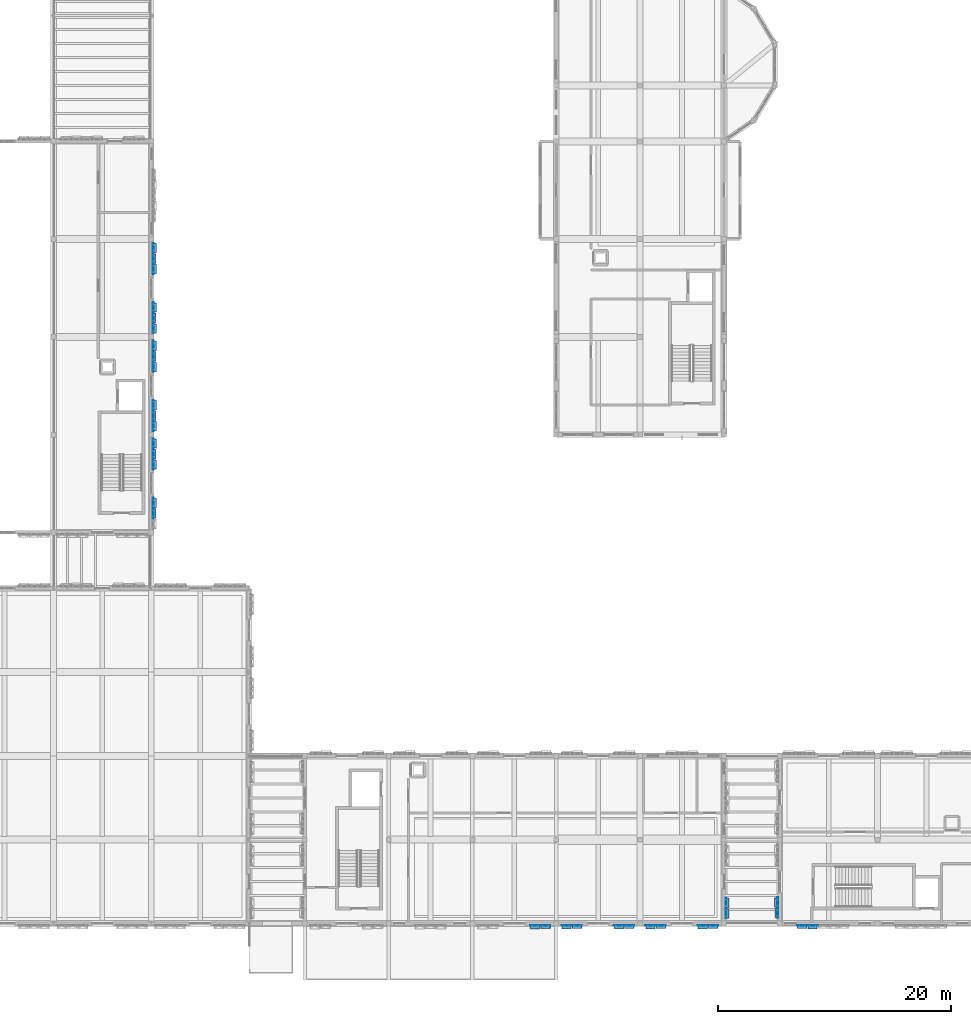
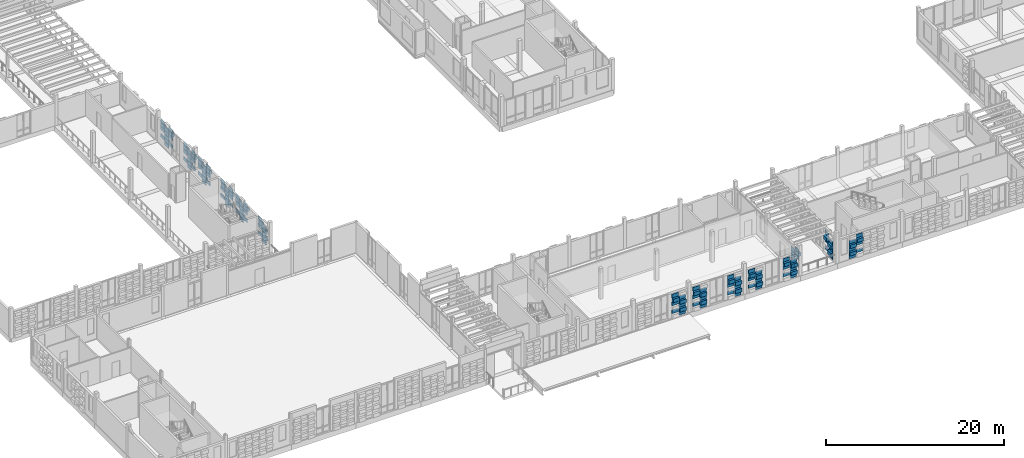
# One storey, part 59 of 99: 146 plates.
"""IFC4 building model written with IfcOpenShell, lengths in metres."""

import ifcopenshell
import ifcopenshell.guid

model = None  # the IFC model being written
_history = None  # IfcOwnerHistory: only IFC2X3 demands one
_inside = {}  # id of a spatial element -> (the spatial element, [elements in it])
_under = {}  # id of a project, library or spatial element -> (it, [spatial elements below it])
_declared = {}  # id of a project -> (the project, [libraries it declares])
_typed = {}  # id of a type object -> (the type object, [elements of that type])
_made_of = {}  # id of a material, layer set ... -> (it, [elements and type objects made of it])


def new_model(schema):
    """Start an empty IFC model of exactly this schema.

    Asked for "IFC4X3", IfcOpenShell would pick the latest addendum, in which some entities
    have other attributes; the version numbers below select the first issue.
    IFC2X3 requires an IfcOwnerHistory on every rooted entity: one is made here for all.
    """
    global model, _history
    if schema == "IFC4X3":
        model = ifcopenshell.file(schema_version=(4, 3, 0, 0))
    else:
        model = ifcopenshell.file(schema=schema)
    _inside.clear()
    _under.clear()
    _declared.clear()
    _typed.clear()
    _made_of.clear()
    _history = None
    if model.schema == "IFC2X3":
        org = make("IfcOrganization", Name="unknown")
        user = make(
            "IfcPersonAndOrganization",
            ThePerson=make("IfcPerson", FamilyName="unknown"),
            TheOrganization=org,
        )
        app = make(
            "IfcApplication",
            ApplicationDeveloper=org,
            Version="unknown",
            ApplicationFullName="unknown",
            ApplicationIdentifier="unknown",
        )
        _history = make(
            "IfcOwnerHistory",
            OwningUser=user,
            OwningApplication=app,
            ChangeAction="ADDED",
            CreationDate=0,
        )
    return model


def make(cls, **values):
    """One entity of the class cls with the attributes given. An attribute that is None is left unset."""
    return model.create_entity(
        cls, **{name: value for name, value in values.items() if value is not None}
    )


def rooted(cls, **values):
    """An entity with a GlobalId (a new one), such as an element, a storey or a relation."""
    return make(cls, GlobalId=ifcopenshell.guid.new(), OwnerHistory=_history, **values)


def si_unit(unit_type, name, prefix=None):
    """IfcSIUnit, for example si_unit("LENGTHUNIT", "METRE", prefix="MILLI")."""
    return make("IfcSIUnit", UnitType=unit_type, Prefix=prefix, Name=name)


def assignment(units):
    """IfcUnitAssignment: the units of a project."""
    return None if units is None else make("IfcUnitAssignment", Units=units)


def point(xyz):
    """IfcCartesianPoint."""
    return None if xyz is None else make("IfcCartesianPoint", Coordinates=xyz)


def direction(xyz):
    """IfcDirection."""
    return None if xyz is None else make("IfcDirection", DirectionRatios=xyz)


def frame(location, z_axis=None, x_axis=None):
    """IfcAxis2Placement3D, a coordinate frame: its origin and axes. An axis left out is left unset."""
    return make(
        "IfcAxis2Placement3D",
        Location=point(location),
        Axis=direction(z_axis),
        RefDirection=direction(x_axis),
    )


def frame_2d(location, x_axis=None):
    """IfcAxis2Placement2D, a coordinate frame in the plane: its origin and x axis."""
    return make(
        "IfcAxis2Placement2D", Location=point(location), RefDirection=direction(x_axis)
    )


def origin():
    """The frame at (0, 0, 0) with its axes left unset."""
    return frame((0.0, 0.0, 0.0))


def origin_2d():
    """The frame at (0, 0) in the plane with its x axis left unset."""
    return frame_2d((0.0, 0.0))


def place(relative_to, where):
    """IfcLocalPlacement: puts the frame where relative to a parent placement (None: the world)."""
    return make(
        "IfcLocalPlacement", PlacementRelTo=relative_to, RelativePlacement=where
    )


def context(
    kind, dimensions, precision=None, world=None, true_north=None, identifier=None
):
    """IfcGeometricRepresentationContext, for example the 3D "Model" context."""
    return make(
        "IfcGeometricRepresentationContext",
        ContextIdentifier=identifier,
        ContextType=kind,
        CoordinateSpaceDimension=dimensions,
        Precision=precision,
        WorldCoordinateSystem=world,
        TrueNorth=true_north,
    )


def subcontext(parent, identifier, kind, view, scale=None):
    """IfcGeometricRepresentationSubContext, for example "Body" below "Model"."""
    return make(
        "IfcGeometricRepresentationSubContext",
        ContextIdentifier=identifier,
        ContextType=kind,
        ParentContext=parent,
        TargetScale=scale,
        TargetView=view,
    )


def project(units=None, contexts=None):
    """IfcProject with its units and contexts."""
    return rooted(
        "IfcProject",
        Name="project",
        RepresentationContexts=contexts,
        UnitsInContext=assignment(units),
    )


def spatial(cls, under=None, at=None, **own):
    """A site, building, storey or space (cls), placed at a placement, below another one or the project."""
    s = rooted(cls, ObjectPlacement=at, **own)
    if under is not None:
        _under.setdefault(under.id(), (under, []))[1].append(s)
    return s


def profile(cls, at=None, kind="AREA", **sizes):
    """A parametric profile (cls). Its sizes go by their IFC names, for example OverallWidth=200.0."""
    return make(cls, ProfileType=kind, Position=at, **sizes)


def rectangle(**sizes):
    """IfcRectangleProfileDef."""
    return profile("IfcRectangleProfileDef", **sizes)


def extrude(swept, where, along, depth):
    """IfcExtrudedAreaSolid: the profile swept, set in the frame where, extruded along a direction by depth."""
    return make(
        "IfcExtrudedAreaSolid",
        SweptArea=swept,
        Position=where,
        ExtrudedDirection=direction(along),
        Depth=depth,
    )


def shape(context_of_items, identifier, shape_type, items):
    """IfcShapeRepresentation: the items that make up one representation, for example the "Body"."""
    return make(
        "IfcShapeRepresentation",
        ContextOfItems=context_of_items,
        RepresentationIdentifier=identifier,
        RepresentationType=shape_type,
        Items=items,
    )


def material(Name=None, Category=None):
    """IfcMaterial."""
    return make("IfcMaterial", Name=Name, Category=Category)


def layer(
    of_material, thickness, ventilated=None, Name=None, Category=None, Priority=None
):
    """IfcMaterialLayer: one layer of a wall or slab, of a material (None: an air gap)."""
    return make(
        "IfcMaterialLayer",
        Material=of_material,
        LayerThickness=thickness,
        IsVentilated=ventilated,
        Name=Name,
        Category=Category,
        Priority=Priority,
    )


def layer_set(layers, Name=None):
    """IfcMaterialLayerSet."""
    return make("IfcMaterialLayerSet", MaterialLayers=layers, LayerSetName=Name)


def made_of(thing, what):
    """Note that an element or type object is made of a material, layer set ...; save() writes the relation."""
    if what is not None:
        _made_of.setdefault(what.id(), (what, []))[1].append(thing)
    return thing


def type_object(cls, material=None, **own):
    """A type object (cls), such as IfcWallType, which elements share."""
    return made_of(rooted(cls, **own), material)


def element(
    cls,
    number,
    at=None,
    inside=None,
    cuts=None,
    type_object=None,
    material=None,
    context=None,
    identifier="Body",
    shape_type=None,
    held_by="IfcProductDefinitionShape",
    body=None,
    shapes=None,
    **own,
):
    """One element of the class cls, such as IfcWall. Its Tag is "e" and its number.

    at: its placement. inside: the storey or other place that contains it. cuts: it is an
    opening in that element (IfcRelVoidsElement). A single representation is given by context,
    identifier, shape_type and body (its items); several are given by shapes. held_by: the class
    of the entity that holds the representations. save() writes the other relations.
    """
    e = rooted(cls, Tag="e%d" % number, ObjectPlacement=at, **own)
    if body is not None:
        shapes = [shape(context, identifier, shape_type, body)]
    if shapes is not None:
        e.Representation = make(held_by, Representations=shapes)
    if inside is not None:
        _inside.setdefault(inside.id(), (inside, []))[1].append(e)
    if cuts is not None:
        rooted(
            "IfcRelVoidsElement", RelatingBuildingElement=cuts, RelatedOpeningElement=e
        )
    if type_object is not None:
        _typed.setdefault(type_object.id(), (type_object, []))[1].append(e)
    return made_of(e, material)


def aggregate(whole, parts):
    """IfcRelAggregates: a whole, such as a stair, and the parts it consists of."""
    return rooted("IfcRelAggregates", RelatingObject=whole, RelatedObjects=parts)


def save(model, path):
    """Write the relations noted so far, then the file.

    IfcRelAggregates (storeys below a building ...), IfcRelContainedInSpatialStructure (elements
    in a storey), IfcRelDefinesByType, IfcRelAssociatesMaterial and IfcRelDeclares: one each for
    every whole, place, type object, material and project.
    """
    for whole, parts in _under.values():
        aggregate(whole, parts)
    for where, things in _inside.values():
        rooted(
            "IfcRelContainedInSpatialStructure",
            RelatedElements=things,
            RelatingStructure=where,
        )
    for kind, things in _typed.values():
        rooted("IfcRelDefinesByType", RelatedObjects=things, RelatingType=kind)
    for what, things in _made_of.values():
        rooted("IfcRelAssociatesMaterial", RelatedObjects=things, RelatingMaterial=what)
    for by, libraries in _declared.values():
        rooted("IfcRelDeclares", RelatingContext=by, RelatedDefinitions=libraries)
    model.write(path)


model = new_model("IFC4")

# Units and contexts
model_context = context("Model", 3, precision=1e-05, world=origin(), true_north=direction((0.0, 1.0)))
body_context = subcontext(model_context, "Body", "Model", "MODEL_VIEW")
ifc_project = project(units=[si_unit("LENGTHUNIT", "METRE"), si_unit("AREAUNIT", "SQUARE_METRE"), si_unit("VOLUMEUNIT", "CUBIC_METRE"), si_unit("PLANEANGLEUNIT", "RADIAN"), si_unit("MASSUNIT", "GRAM", prefix="KILO")], contexts=[model_context])

# Site, building, storey
site_placement = place(None, origin())
site = spatial("IfcSite", under=ifc_project, at=site_placement, CompositionType="ELEMENT")
building_placement = place(site_placement, origin())
building = spatial("IfcBuilding", under=site, at=building_placement, Name="Kahlenmark Community Centre", CompositionType="ELEMENT")
storey_placement = place(building_placement, frame((0.0, 0.0, 5.39990234375)))
storey = spatial("IfcBuildingStorey", under=building, at=storey_placement, Name="L01", CompositionType="ELEMENT", Elevation=5.39990234375)

# Plates
ifc_material_1 = material(Name="Extruded warm terracotta recessed weave tile", Category="masonry")
ifc_layer_1 = layer(ifc_material_1, 0.06005859375)
ifc_layer_set_1 = layer_set([ifc_layer_1], Name="Extruded warm terracotta recessed weave tile")
plate_type_1 = type_object("IfcPlateType", Name="PLT-TC-TC-R10-840X60X468", PredefinedType="SHEET", material=ifc_layer_set_1)
for number, where, z_axis, x_axis, name in (
    (1, (37.780029296875, 44.030029296875, 0.10009765625), (0.0, 0.0, 1.0), (0.0, 1.0, 0.0), "Basketweave terracotta cassette 0803"),
    (2, (37.780029296875, 44.030029296875, 1.1162109375), (0.0, 0.0, 1.0), (0.0, 1.0, 0.0), "Basketweave terracotta cassette 0805"),
    (3, (37.780029296875, 44.030029296875, 2.13232421875), (0.0, 0.0, 1.0), (0.0, 1.0, 0.0), "Basketweave terracotta cassette 0807"),
    (4, (37.780029296875, 49.1298828125, 0.10009765625), (0.0, 0.0, 1.0), (0.0, 1.0, 0.0), "Basketweave terracotta cassette 0821"),
    (5, (37.780029296875, 49.1298828125, 1.1162109375), (0.0, 0.0, 1.0), (0.0, 1.0, 0.0), "Basketweave terracotta cassette 0823"),
    (6, (37.780029296875, 49.1298828125, 2.13232421875), (0.0, 0.0, 1.0), (0.0, 1.0, 0.0), "Basketweave terracotta cassette 0825"),
    (7, (81.3798828125, 8.6201171875, 0.10009765625), (0.0, 0.0, 1.0), (1.0, 0.0, 0.0), "Basketweave terracotta cassette 1031"),
    (8, (81.3798828125, 8.6201171875, 1.1162109375), (0.0, 0.0, 1.0), (1.0, 0.0, 0.0), "Basketweave terracotta cassette 1033"),
    (9, (81.3798828125, 8.6201171875, 2.13232421875), (0.0, 0.0, 1.0), (1.0, 0.0, 0.0), "Basketweave terracotta cassette 1035"),
    (10, (85.8798828125, 8.6201171875, 0.10009765625), (0.0, 0.0, 1.0), (1.0, 0.0, 0.0), "Basketweave terracotta cassette 1043"),
    (11, (85.8798828125, 8.6201171875, 1.1162109375), (0.0, 0.0, 1.0), (1.0, 0.0, 0.0), "Basketweave terracotta cassette 1045"),
    (12, (85.8798828125, 8.6201171875, 2.13232421875), (0.0, 0.0, 1.0), (1.0, 0.0, 0.0), "Basketweave terracotta cassette 1047"),
    (13, (86.97998046875, 10.580078125, 0.10009765625), (0.0, 0.0, 1.0), (0.0, 1.0, 0.0), "Basketweave terracotta cassette 1217"),
    (14, (86.97998046875, 10.580078125, 1.1162109375), (0.0, 0.0, 1.0), (0.0, 1.0, 0.0), "Basketweave terracotta cassette 1219"),
    (15, (86.97998046875, 10.580078125, 2.13232421875), (0.0, 0.0, 1.0), (0.0, 1.0, 0.0), "Basketweave terracotta cassette 1221"),
    (16, (93.530029296875, 8.6201171875, 0.10009765625), (0.0, 0.0, 1.0), (1.0, 0.0, 0.0), "Basketweave terracotta cassette 1253"),
    (17, (93.530029296875, 8.6201171875, 1.1162109375), (0.0, 0.0, 1.0), (1.0, 0.0, 0.0), "Basketweave terracotta cassette 1255"),
    (18, (93.530029296875, 8.6201171875, 2.13232421875), (0.0, 0.0, 1.0), (1.0, 0.0, 0.0), "Basketweave terracotta cassette 1257"),
    (19, (91.419921875, 9.719970703125, 0.10009765625), (0.0, 0.0, 1.0), (0.0, -1.0, 0.0), "Basketweave terracotta cassette 1469"),
    (20, (91.419921875, 9.719970703125, 1.1162109375), (0.0, 0.0, 1.0), (0.0, -1.0, 0.0), "Basketweave terracotta cassette 1471"),
    (21, (91.419921875, 9.719970703125, 2.13232421875), (0.0, 0.0, 1.0), (0.0, -1.0, 0.0), "Basketweave terracotta cassette 1473"),
):
    element("IfcPlate", number, at=place(storey_placement, frame(where, z_axis=z_axis, x_axis=x_axis)), inside=storey, type_object=plate_type_1, Name=name, PredefinedType="SHEET", context=body_context, shape_type="SweptSolid", body=[
        extrude(rectangle(XDim=0.840087890625, YDim=0.06005859375, at=origin_2d()), origin(), (0.0, 0.0, 1.0), 0.468017578125),
    ])
ifc_layer_2 = layer(ifc_material_1, 0.06005859375)
ifc_layer_set_2 = layer_set([ifc_layer_2], Name="Extruded warm terracotta recessed weave tile")
plate_type_2 = type_object("IfcPlateType", Name="PLT-TC-TC-R10-840X60X475", PredefinedType="SHEET", material=ifc_layer_set_2)
for number, where, z_axis, x_axis, name in (
    (22, (37.780029296875, 52.429931640625, 0.10009765625), (0.0, 0.0, 1.0), (0.0, 1.0, 0.0), "Basketweave terracotta cassette 0839"),
    (23, (37.780029296875, 52.429931640625, 1.130126953125), (0.0, 0.0, 1.0), (0.0, 1.0, 0.0), "Basketweave terracotta cassette 0841"),
    (24, (37.780029296875, 52.429931640625, 2.16015625), (0.0, 0.0, 1.0), (0.0, 1.0, 0.0), "Basketweave terracotta cassette 0843"),
    (25, (37.780029296875, 57.530029296875, 0.10009765625), (0.0, 0.0, 1.0), (0.0, 1.0, 0.0), "Basketweave terracotta cassette 0857"),
    (26, (37.780029296875, 57.530029296875, 1.130126953125), (0.0, 0.0, 1.0), (0.0, 1.0, 0.0), "Basketweave terracotta cassette 0859"),
    (27, (37.780029296875, 57.530029296875, 2.16015625), (0.0, 0.0, 1.0), (0.0, 1.0, 0.0), "Basketweave terracotta cassette 0861"),
    (28, (37.780029296875, 60.830078125, 0.10009765625), (0.0, 0.0, 1.0), (0.0, 1.0, 0.0), "Basketweave terracotta cassette 0875"),
    (29, (37.780029296875, 60.830078125, 1.130126953125), (0.0, 0.0, 1.0), (0.0, 1.0, 0.0), "Basketweave terracotta cassette 0877"),
    (30, (37.780029296875, 60.830078125, 2.16015625), (0.0, 0.0, 1.0), (0.0, 1.0, 0.0), "Basketweave terracotta cassette 0879"),
    (31, (37.780029296875, 65.929931640625, 0.10009765625), (0.0, 0.0, 1.0), (0.0, 1.0, 0.0), "Basketweave terracotta cassette 0893"),
    (32, (37.780029296875, 65.929931640625, 1.130126953125), (0.0, 0.0, 1.0), (0.0, 1.0, 0.0), "Basketweave terracotta cassette 0895"),
    (33, (37.780029296875, 65.929931640625, 2.16015625), (0.0, 0.0, 1.0), (0.0, 1.0, 0.0), "Basketweave terracotta cassette 0897"),
):
    element("IfcPlate", number, at=place(storey_placement, frame(where, z_axis=z_axis, x_axis=x_axis)), inside=storey, type_object=plate_type_2, Name=name, PredefinedType="SHEET", context=body_context, shape_type="SweptSolid", body=[
        extrude(rectangle(XDim=0.840087890625, YDim=0.06005859375, at=origin_2d()), origin(), (0.0, 0.0, 1.0), 0.47509765625),
    ])
ifc_layer_3 = layer(ifc_material_1, 0.06005859375)
ifc_layer_set_3 = layer_set([ifc_layer_3], Name="Extruded warm terracotta recessed weave tile")
plate_type_3 = type_object("IfcPlateType", Name="PLT-TC-TC-R10-840X60X495", PredefinedType="SHEET", material=ifc_layer_set_3)
for number, where, z_axis, x_axis, name in (
    (34, (71.47998046875, 8.6201171875, 0.10009765625), (0.0, 0.0, 1.0), (1.0, 0.0, 0.0), "Basketweave terracotta cassette 0995"),
    (35, (71.47998046875, 8.6201171875, 1.169921875), (0.0, 0.0, 1.0), (1.0, 0.0, 0.0), "Basketweave terracotta cassette 0997"),
    (36, (71.47998046875, 8.6201171875, 2.239990234375), (0.0, 0.0, 1.0), (1.0, 0.0, 0.0), "Basketweave terracotta cassette 0999"),
    (37, (74.179931640625, 8.6201171875, 0.10009765625), (0.0, 0.0, 1.0), (1.0, 0.0, 0.0), "Basketweave terracotta cassette 1007"),
    (38, (74.179931640625, 8.6201171875, 1.169921875), (0.0, 0.0, 1.0), (1.0, 0.0, 0.0), "Basketweave terracotta cassette 1009"),
    (39, (74.179931640625, 8.6201171875, 2.239990234375), (0.0, 0.0, 1.0), (1.0, 0.0, 0.0), "Basketweave terracotta cassette 1011"),
    (40, (78.679931640625, 8.6201171875, 0.10009765625), (0.0, 0.0, 1.0), (1.0, 0.0, 0.0), "Basketweave terracotta cassette 1019"),
    (41, (78.679931640625, 8.6201171875, 1.169921875), (0.0, 0.0, 1.0), (1.0, 0.0, 0.0), "Basketweave terracotta cassette 1021"),
    (42, (78.679931640625, 8.6201171875, 2.239990234375), (0.0, 0.0, 1.0), (1.0, 0.0, 0.0), "Basketweave terracotta cassette 1023"),
):
    element("IfcPlate", number, at=place(storey_placement, frame(where, z_axis=z_axis, x_axis=x_axis)), inside=storey, type_object=plate_type_3, Name=name, PredefinedType="SHEET", context=body_context, shape_type="SweptSolid", body=[
        extrude(rectangle(XDim=0.840087890625, YDim=0.06005859375, at=origin_2d()), origin(), (0.0, 0.0, 1.0), 0.4951171875),
    ])
ifc_layer_4 = layer(ifc_material_1, 0.06005859375)
ifc_layer_set_4 = layer_set([ifc_layer_4], Name="Extruded warm terracotta recessed weave tile")
plate_type_4 = type_object("IfcPlateType", Name="PLT-TC-TC-R10-860X60X468", PredefinedType="SHEET", material=ifc_layer_set_4)
for number, where, z_axis, x_axis, name in (
    (43, (37.780029296875, 44.929931640625, 0.60791015625), (0.0, 0.0, 1.0), (0.0, 1.0, 0.0), "Basketweave terracotta cassette 0810"),
    (44, (37.780029296875, 44.929931640625, 1.6240234375), (0.0, 0.0, 1.0), (0.0, 1.0, 0.0), "Basketweave terracotta cassette 0812"),
    (45, (37.780029296875, 44.929931640625, 2.64013671875), (0.0, 0.0, 1.0), (0.0, 1.0, 0.0), "Basketweave terracotta cassette 0814"),
    (46, (37.780029296875, 48.22998046875, 0.60791015625), (0.0, 0.0, 1.0), (0.0, 1.0, 0.0), "Basketweave terracotta cassette 0816"),
    (47, (37.780029296875, 48.22998046875, 1.6240234375), (0.0, 0.0, 1.0), (0.0, 1.0, 0.0), "Basketweave terracotta cassette 0818"),
    (48, (37.780029296875, 48.22998046875, 2.64013671875), (0.0, 0.0, 1.0), (0.0, 1.0, 0.0), "Basketweave terracotta cassette 0820"),
    (49, (37.780029296875, 50.030029296875, 0.60791015625), (0.0, 0.0, 1.0), (0.0, 1.0, 0.0), "Basketweave terracotta cassette 0828"),
    (50, (37.780029296875, 50.030029296875, 1.6240234375), (0.0, 0.0, 1.0), (0.0, 1.0, 0.0), "Basketweave terracotta cassette 0830"),
    (51, (37.780029296875, 50.030029296875, 2.64013671875), (0.0, 0.0, 1.0), (0.0, 1.0, 0.0), "Basketweave terracotta cassette 0832"),
    (52, (80.47998046875, 8.6201171875, 0.60791015625), (0.0, 0.0, 1.0), (1.0, 0.0, 0.0), "Basketweave terracotta cassette 1026"),
    (53, (80.47998046875, 8.6201171875, 1.6240234375), (0.0, 0.0, 1.0), (1.0, 0.0, 0.0), "Basketweave terracotta cassette 1028"),
    (54, (80.47998046875, 8.6201171875, 2.64013671875), (0.0, 0.0, 1.0), (1.0, 0.0, 0.0), "Basketweave terracotta cassette 1030"),
    (55, (84.97998046875, 8.6201171875, 0.60791015625), (0.0, 0.0, 1.0), (1.0, 0.0, 0.0), "Basketweave terracotta cassette 1038"),
    (56, (84.97998046875, 8.6201171875, 1.6240234375), (0.0, 0.0, 1.0), (1.0, 0.0, 0.0), "Basketweave terracotta cassette 1040"),
    (57, (84.97998046875, 8.6201171875, 2.64013671875), (0.0, 0.0, 1.0), (1.0, 0.0, 0.0), "Basketweave terracotta cassette 1042"),
    (58, (86.97998046875, 9.679931640625, 0.60791015625), (0.0, 0.0, 1.0), (0.0, 1.0, 0.0), "Basketweave terracotta cassette 1212"),
    (59, (86.97998046875, 9.679931640625, 1.6240234375), (0.0, 0.0, 1.0), (0.0, 1.0, 0.0), "Basketweave terracotta cassette 1214"),
    (60, (86.97998046875, 9.679931640625, 2.64013671875), (0.0, 0.0, 1.0), (0.0, 1.0, 0.0), "Basketweave terracotta cassette 1216"),
    (61, (94.429931640625, 8.6201171875, 0.60791015625), (0.0, 0.0, 1.0), (1.0, 0.0, 0.0), "Basketweave terracotta cassette 1260"),
    (62, (94.429931640625, 8.6201171875, 1.6240234375), (0.0, 0.0, 1.0), (1.0, 0.0, 0.0), "Basketweave terracotta cassette 1262"),
    (63, (94.429931640625, 8.6201171875, 2.64013671875), (0.0, 0.0, 1.0), (1.0, 0.0, 0.0), "Basketweave terracotta cassette 1264"),
    (64, (91.419921875, 10.6201171875, 0.60791015625), (0.0, 0.0, 1.0), (0.0, -1.0, 0.0), "Basketweave terracotta cassette 1464"),
    (65, (91.419921875, 10.6201171875, 1.6240234375), (0.0, 0.0, 1.0), (0.0, -1.0, 0.0), "Basketweave terracotta cassette 1466"),
    (66, (91.419921875, 10.6201171875, 2.64013671875), (0.0, 0.0, 1.0), (0.0, -1.0, 0.0), "Basketweave terracotta cassette 1468"),
):
    element("IfcPlate", number, at=place(storey_placement, frame(where, z_axis=z_axis, x_axis=x_axis)), inside=storey, type_object=plate_type_4, Name=name, PredefinedType="SHEET", context=body_context, shape_type="SweptSolid", body=[
        extrude(rectangle(XDim=0.860107421875, YDim=0.06005859375, at=origin_2d()), origin(), (0.0, 0.0, 1.0), 0.468017578125),
    ])
ifc_layer_5 = layer(ifc_material_1, 0.06005859375)
ifc_layer_set_5 = layer_set([ifc_layer_5], Name="Extruded warm terracotta recessed weave tile")
plate_type_5 = type_object("IfcPlateType", Name="PLT-TC-TC-R10-860X60X475", PredefinedType="SHEET", material=ifc_layer_set_5)
for number, where, z_axis, x_axis, name in (
    (67, (37.780029296875, 51.530029296875, 0.614990234375), (0.0, 0.0, 1.0), (0.0, 1.0, 0.0), "Basketweave terracotta cassette 0834"),
    (68, (37.780029296875, 51.530029296875, 1.64501953125), (0.0, 0.0, 1.0), (0.0, 1.0, 0.0), "Basketweave terracotta cassette 0836"),
    (69, (37.780029296875, 51.530029296875, 2.675048828125), (0.0, 0.0, 1.0), (0.0, 1.0, 0.0), "Basketweave terracotta cassette 0838"),
    (70, (37.780029296875, 53.330078125, 0.614990234375), (0.0, 0.0, 1.0), (0.0, 1.0, 0.0), "Basketweave terracotta cassette 0846"),
    (71, (37.780029296875, 53.330078125, 1.64501953125), (0.0, 0.0, 1.0), (0.0, 1.0, 0.0), "Basketweave terracotta cassette 0848"),
    (72, (37.780029296875, 53.330078125, 2.675048828125), (0.0, 0.0, 1.0), (0.0, 1.0, 0.0), "Basketweave terracotta cassette 0850"),
    (73, (37.780029296875, 56.6298828125, 0.614990234375), (0.0, 0.0, 1.0), (0.0, 1.0, 0.0), "Basketweave terracotta cassette 0852"),
    (74, (37.780029296875, 56.6298828125, 1.64501953125), (0.0, 0.0, 1.0), (0.0, 1.0, 0.0), "Basketweave terracotta cassette 0854"),
    (75, (37.780029296875, 56.6298828125, 2.675048828125), (0.0, 0.0, 1.0), (0.0, 1.0, 0.0), "Basketweave terracotta cassette 0856"),
    (76, (37.780029296875, 58.429931640625, 0.614990234375), (0.0, 0.0, 1.0), (0.0, 1.0, 0.0), "Basketweave terracotta cassette 0864"),
    (77, (37.780029296875, 58.429931640625, 1.64501953125), (0.0, 0.0, 1.0), (0.0, 1.0, 0.0), "Basketweave terracotta cassette 0866"),
    (78, (37.780029296875, 58.429931640625, 2.675048828125), (0.0, 0.0, 1.0), (0.0, 1.0, 0.0), "Basketweave terracotta cassette 0868"),
    (79, (37.780029296875, 59.929931640625, 0.614990234375), (0.0, 0.0, 1.0), (0.0, 1.0, 0.0), "Basketweave terracotta cassette 0870"),
    (80, (37.780029296875, 59.929931640625, 1.64501953125), (0.0, 0.0, 1.0), (0.0, 1.0, 0.0), "Basketweave terracotta cassette 0872"),
    (81, (37.780029296875, 59.929931640625, 2.675048828125), (0.0, 0.0, 1.0), (0.0, 1.0, 0.0), "Basketweave terracotta cassette 0874"),
    (82, (37.780029296875, 61.72998046875, 0.614990234375), (0.0, 0.0, 1.0), (0.0, 1.0, 0.0), "Basketweave terracotta cassette 0882"),
    (83, (37.780029296875, 61.72998046875, 1.64501953125), (0.0, 0.0, 1.0), (0.0, 1.0, 0.0), "Basketweave terracotta cassette 0884"),
    (84, (37.780029296875, 61.72998046875, 2.675048828125), (0.0, 0.0, 1.0), (0.0, 1.0, 0.0), "Basketweave terracotta cassette 0886"),
    (85, (37.780029296875, 65.030029296875, 0.614990234375), (0.0, 0.0, 1.0), (0.0, 1.0, 0.0), "Basketweave terracotta cassette 0888"),
    (86, (37.780029296875, 65.030029296875, 1.64501953125), (0.0, 0.0, 1.0), (0.0, 1.0, 0.0), "Basketweave terracotta cassette 0890"),
    (87, (37.780029296875, 65.030029296875, 2.675048828125), (0.0, 0.0, 1.0), (0.0, 1.0, 0.0), "Basketweave terracotta cassette 0892"),
    (88, (37.780029296875, 66.830078125, 0.614990234375), (0.0, 0.0, 1.0), (0.0, 1.0, 0.0), "Basketweave terracotta cassette 0900"),
    (89, (37.780029296875, 66.830078125, 1.64501953125), (0.0, 0.0, 1.0), (0.0, 1.0, 0.0), "Basketweave terracotta cassette 0902"),
    (90, (37.780029296875, 66.830078125, 2.675048828125), (0.0, 0.0, 1.0), (0.0, 1.0, 0.0), "Basketweave terracotta cassette 0904"),
):
    element("IfcPlate", number, at=place(storey_placement, frame(where, z_axis=z_axis, x_axis=x_axis)), inside=storey, type_object=plate_type_5, Name=name, PredefinedType="SHEET", context=body_context, shape_type="SweptSolid", body=[
        extrude(rectangle(XDim=0.860107421875, YDim=0.06005859375, at=origin_2d()), origin(), (0.0, 0.0, 1.0), 0.47509765625),
    ])
ifc_layer_6 = layer(ifc_material_1, 0.06005859375)
ifc_layer_set_6 = layer_set([ifc_layer_6], Name="Extruded warm terracotta recessed weave tile")
plate_type_6 = type_object("IfcPlateType", Name="PLT-TC-TC-R10-860X60X495", PredefinedType="SHEET", material=ifc_layer_set_6)
for number, where, z_axis, x_axis, name in (
    (91, (70.580078125, 8.6201171875, 0.635009765625), (0.0, 0.0, 1.0), (1.0, 0.0, 0.0), "Basketweave terracotta cassette 0990"),
    (92, (70.580078125, 8.6201171875, 1.705078125), (0.0, 0.0, 1.0), (1.0, 0.0, 0.0), "Basketweave terracotta cassette 0992"),
    (93, (70.580078125, 8.6201171875, 2.775146484375), (0.0, 0.0, 1.0), (1.0, 0.0, 0.0), "Basketweave terracotta cassette 0994"),
    (94, (73.280029296875, 8.6201171875, 0.635009765625), (0.0, 0.0, 1.0), (1.0, 0.0, 0.0), "Basketweave terracotta cassette 1002"),
    (95, (73.280029296875, 8.6201171875, 1.705078125), (0.0, 0.0, 1.0), (1.0, 0.0, 0.0), "Basketweave terracotta cassette 1004"),
    (96, (73.280029296875, 8.6201171875, 2.775146484375), (0.0, 0.0, 1.0), (1.0, 0.0, 0.0), "Basketweave terracotta cassette 1006"),
    (97, (77.780029296875, 8.6201171875, 0.635009765625), (0.0, 0.0, 1.0), (1.0, 0.0, 0.0), "Basketweave terracotta cassette 1014"),
    (98, (77.780029296875, 8.6201171875, 1.705078125), (0.0, 0.0, 1.0), (1.0, 0.0, 0.0), "Basketweave terracotta cassette 1016"),
    (99, (77.780029296875, 8.6201171875, 2.775146484375), (0.0, 0.0, 1.0), (1.0, 0.0, 0.0), "Basketweave terracotta cassette 1018"),
):
    element("IfcPlate", number, at=place(storey_placement, frame(where, z_axis=z_axis, x_axis=x_axis)), inside=storey, type_object=plate_type_6, Name=name, PredefinedType="SHEET", context=body_context, shape_type="SweptSolid", body=[
        extrude(rectangle(XDim=0.860107421875, YDim=0.06005859375, at=origin_2d()), origin(), (0.0, 0.0, 1.0), 0.4951171875),
    ])
ifc_material_2 = material(Name="Extruded glazed terracotta weave cassette", Category="masonry")
ifc_layer_7 = layer(ifc_material_2, 0.300048828125)
ifc_layer_set_7 = layer_set([ifc_layer_7], Name="Extruded glazed terracotta weave cassette")
plate_type_7 = type_object("IfcPlateType", Name="PLT-TC-TC-R34-780X300X468", PredefinedType="SHEET", material=ifc_layer_set_7)
for number, where, z_axis, x_axis, name in (
    (100, (37.89990234375, 44.929931640625, 2.13232421875), (0.0, 0.0, 1.0), (0.0, 1.0, 0.0), "Basketweave terracotta cassette 0813"),
    (101, (37.89990234375, 48.22998046875, 2.13232421875), (0.0, 0.0, 1.0), (0.0, 1.0, 0.0), "Basketweave terracotta cassette 0819"),
    (102, (37.89990234375, 50.030029296875, 2.13232421875), (0.0, 0.0, 1.0), (0.0, 1.0, 0.0), "Basketweave terracotta cassette 0831"),
    (103, (80.47998046875, 8.5, 2.13232421875), (0.0, 0.0, 1.0), (1.0, 0.0, 0.0), "Basketweave terracotta cassette 1029"),
    (104, (84.97998046875, 8.5, 2.13232421875), (0.0, 0.0, 1.0), (1.0, 0.0, 0.0), "Basketweave terracotta cassette 1041"),
    (105, (87.10009765625, 9.679931640625, 2.13232421875), (0.0, 0.0, 1.0), (0.0, 1.0, 0.0), "Basketweave terracotta cassette 1215"),
    (106, (94.429931640625, 8.5, 2.13232421875), (0.0, 0.0, 1.0), (1.0, 0.0, 0.0), "Basketweave terracotta cassette 1263"),
    (107, (91.300048828125, 10.6201171875, 2.13232421875), (0.0, 0.0, 1.0), (0.0, -1.0, 0.0), "Basketweave terracotta cassette 1467"),
):
    element("IfcPlate", number, at=place(storey_placement, frame(where, z_axis=z_axis, x_axis=x_axis)), inside=storey, type_object=plate_type_7, Name=name, PredefinedType="SHEET", context=body_context, shape_type="SweptSolid", body=[
        extrude(rectangle(XDim=0.780029296875, YDim=0.300048828125, at=origin_2d()), origin(), (0.0, 0.0, 1.0), 0.468017578125),
    ])
ifc_layer_8 = layer(ifc_material_2, 0.300048828125)
ifc_layer_set_8 = layer_set([ifc_layer_8], Name="Extruded glazed terracotta weave cassette")
plate_type_8 = type_object("IfcPlateType", Name="PLT-TC-TC-R34-780X300X475", PredefinedType="SHEET", material=ifc_layer_set_8)
for number, where, z_axis, x_axis, name in (
    (108, (37.89990234375, 51.530029296875, 2.16015625), (0.0, 0.0, 1.0), (0.0, 1.0, 0.0), "Basketweave terracotta cassette 0837"),
    (109, (37.89990234375, 53.330078125, 2.16015625), (0.0, 0.0, 1.0), (0.0, 1.0, 0.0), "Basketweave terracotta cassette 0849"),
    (110, (37.89990234375, 56.6298828125, 2.16015625), (0.0, 0.0, 1.0), (0.0, 1.0, 0.0), "Basketweave terracotta cassette 0855"),
    (111, (37.89990234375, 58.429931640625, 2.16015625), (0.0, 0.0, 1.0), (0.0, 1.0, 0.0), "Basketweave terracotta cassette 0867"),
    (112, (37.89990234375, 59.929931640625, 2.16015625), (0.0, 0.0, 1.0), (0.0, 1.0, 0.0), "Basketweave terracotta cassette 0873"),
    (113, (37.89990234375, 61.72998046875, 2.16015625), (0.0, 0.0, 1.0), (0.0, 1.0, 0.0), "Basketweave terracotta cassette 0885"),
    (114, (37.89990234375, 65.030029296875, 2.16015625), (0.0, 0.0, 1.0), (0.0, 1.0, 0.0), "Basketweave terracotta cassette 0891"),
    (115, (37.89990234375, 66.830078125, 2.16015625), (0.0, 0.0, 1.0), (0.0, 1.0, 0.0), "Basketweave terracotta cassette 0903"),
):
    element("IfcPlate", number, at=place(storey_placement, frame(where, z_axis=z_axis, x_axis=x_axis)), inside=storey, type_object=plate_type_8, Name=name, PredefinedType="SHEET", context=body_context, shape_type="SweptSolid", body=[
        extrude(rectangle(XDim=0.780029296875, YDim=0.300048828125, at=origin_2d()), origin(), (0.0, 0.0, 1.0), 0.47509765625),
    ])
ifc_layer_9 = layer(ifc_material_2, 0.300048828125)
ifc_layer_set_9 = layer_set([ifc_layer_9], Name="Extruded glazed terracotta weave cassette")
plate_type_9 = type_object("IfcPlateType", Name="PLT-TC-TC-R34-780X300X495", PredefinedType="SHEET", material=ifc_layer_set_9)
for number, where, z_axis, x_axis, name in (
    (116, (70.580078125, 8.5, 2.239990234375), (0.0, 0.0, 1.0), (1.0, 0.0, 0.0), "Basketweave terracotta cassette 0993"),
    (117, (73.280029296875, 8.5, 2.239990234375), (0.0, 0.0, 1.0), (1.0, 0.0, 0.0), "Basketweave terracotta cassette 1005"),
    (118, (77.780029296875, 8.5, 2.239990234375), (0.0, 0.0, 1.0), (1.0, 0.0, 0.0), "Basketweave terracotta cassette 1017"),
):
    element("IfcPlate", number, at=place(storey_placement, frame(where, z_axis=z_axis, x_axis=x_axis)), inside=storey, type_object=plate_type_9, Name=name, PredefinedType="SHEET", context=body_context, shape_type="SweptSolid", body=[
        extrude(rectangle(XDim=0.780029296875, YDim=0.300048828125, at=origin_2d()), origin(), (0.0, 0.0, 1.0), 0.4951171875),
    ])
ifc_layer_10 = layer(ifc_material_2, 0.280029296875)
ifc_layer_set_10 = layer_set([ifc_layer_10], Name="Extruded glazed terracotta weave cassette")
plate_type_10 = type_object("IfcPlateType", Name="PLT-TC-TC-W30-800X280X468", PredefinedType="SHEET", material=ifc_layer_set_10)
for number, where, z_axis, x_axis, name in (
    (119, (37.889892578125, 44.030029296875, 1.6240234375), (0.0, 0.0, 1.0), (0.0, 1.0, 0.0), "Basketweave terracotta cassette 0806"),
    (120, (37.889892578125, 49.1298828125, 1.6240234375), (0.0, 0.0, 1.0), (0.0, 1.0, 0.0), "Basketweave terracotta cassette 0824"),
    (121, (81.3798828125, 8.510009765625, 1.6240234375), (0.0, 0.0, 1.0), (1.0, 0.0, 0.0), "Basketweave terracotta cassette 1034"),
    (122, (85.8798828125, 8.510009765625, 1.6240234375), (0.0, 0.0, 1.0), (1.0, 0.0, 0.0), "Basketweave terracotta cassette 1046"),
    (123, (87.090087890625, 10.580078125, 1.6240234375), (0.0, 0.0, 1.0), (0.0, 1.0, 0.0), "Basketweave terracotta cassette 1220"),
    (124, (93.530029296875, 8.510009765625, 1.6240234375), (0.0, 0.0, 1.0), (1.0, 0.0, 0.0), "Basketweave terracotta cassette 1256"),
    (125, (91.31005859375, 9.719970703125, 1.6240234375), (0.0, 0.0, 1.0), (0.0, -1.0, 0.0), "Basketweave terracotta cassette 1472"),
):
    element("IfcPlate", number, at=place(storey_placement, frame(where, z_axis=z_axis, x_axis=x_axis)), inside=storey, type_object=plate_type_10, Name=name, PredefinedType="SHEET", context=body_context, shape_type="SweptSolid", body=[
        extrude(rectangle(XDim=0.800048828125, YDim=0.280029296875, at=origin_2d()), origin(), (0.0, 0.0, 1.0), 0.468017578125),
    ])
ifc_layer_11 = layer(ifc_material_2, 0.280029296875)
ifc_layer_set_11 = layer_set([ifc_layer_11], Name="Extruded glazed terracotta weave cassette")
plate_type_11 = type_object("IfcPlateType", Name="PLT-TC-TC-W30-800X280X475", PredefinedType="SHEET", material=ifc_layer_set_11)
for number, where, z_axis, x_axis, name in (
    (126, (37.889892578125, 52.429931640625, 1.64501953125), (0.0, 0.0, 1.0), (0.0, 1.0, 0.0), "Basketweave terracotta cassette 0842"),
    (127, (37.889892578125, 57.530029296875, 1.64501953125), (0.0, 0.0, 1.0), (0.0, 1.0, 0.0), "Basketweave terracotta cassette 0860"),
    (128, (37.889892578125, 60.830078125, 1.64501953125), (0.0, 0.0, 1.0), (0.0, 1.0, 0.0), "Basketweave terracotta cassette 0878"),
    (129, (37.889892578125, 65.929931640625, 1.64501953125), (0.0, 0.0, 1.0), (0.0, 1.0, 0.0), "Basketweave terracotta cassette 0896"),
):
    element("IfcPlate", number, at=place(storey_placement, frame(where, z_axis=z_axis, x_axis=x_axis)), inside=storey, type_object=plate_type_11, Name=name, PredefinedType="SHEET", context=body_context, shape_type="SweptSolid", body=[
        extrude(rectangle(XDim=0.800048828125, YDim=0.280029296875, at=origin_2d()), origin(), (0.0, 0.0, 1.0), 0.47509765625),
    ])
ifc_layer_12 = layer(ifc_material_2, 0.280029296875)
ifc_layer_set_12 = layer_set([ifc_layer_12], Name="Extruded glazed terracotta weave cassette")
plate_type_12 = type_object("IfcPlateType", Name="PLT-TC-TC-W30-800X280X495", PredefinedType="SHEET", material=ifc_layer_set_12)
for number, where, z_axis, x_axis, name in (
    (130, (71.47998046875, 8.510009765625, 1.705078125), (0.0, 0.0, 1.0), (1.0, 0.0, 0.0), "Basketweave terracotta cassette 0998"),
    (131, (74.179931640625, 8.510009765625, 1.705078125), (0.0, 0.0, 1.0), (1.0, 0.0, 0.0), "Basketweave terracotta cassette 1010"),
    (132, (78.679931640625, 8.510009765625, 1.705078125), (0.0, 0.0, 1.0), (1.0, 0.0, 0.0), "Basketweave terracotta cassette 1022"),
):
    element("IfcPlate", number, at=place(storey_placement, frame(where, z_axis=z_axis, x_axis=x_axis)), inside=storey, type_object=plate_type_12, Name=name, PredefinedType="SHEET", context=body_context, shape_type="SweptSolid", body=[
        extrude(rectangle(XDim=0.800048828125, YDim=0.280029296875, at=origin_2d()), origin(), (0.0, 0.0, 1.0), 0.4951171875),
    ])
ifc_layer_13 = layer(ifc_material_2, 0.280029296875)
ifc_layer_set_13 = layer_set([ifc_layer_13], Name="Extruded glazed terracotta weave cassette")
plate_type_13 = type_object("IfcPlateType", Name="PLT-TC-TC-W30-820X280X468", PredefinedType="SHEET", material=ifc_layer_set_13)
for number, where, z_axis, x_axis, name in (
    (133, (37.889892578125, 44.030029296875, 0.60791015625), (0.0, 0.0, 1.0), (0.0, 1.0, 0.0), "Basketweave terracotta cassette 0804"),
    (134, (37.889892578125, 49.1298828125, 0.60791015625), (0.0, 0.0, 1.0), (0.0, 1.0, 0.0), "Basketweave terracotta cassette 0822"),
    (135, (81.3798828125, 8.510009765625, 0.60791015625), (0.0, 0.0, 1.0), (1.0, 0.0, 0.0), "Basketweave terracotta cassette 1032"),
    (136, (85.8798828125, 8.510009765625, 0.60791015625), (0.0, 0.0, 1.0), (1.0, 0.0, 0.0), "Basketweave terracotta cassette 1044"),
    (137, (87.090087890625, 10.580078125, 0.60791015625), (0.0, 0.0, 1.0), (0.0, 1.0, 0.0), "Basketweave terracotta cassette 1218"),
    (138, (93.530029296875, 8.510009765625, 0.60791015625), (0.0, 0.0, 1.0), (1.0, 0.0, 0.0), "Basketweave terracotta cassette 1254"),
    (139, (91.31005859375, 9.719970703125, 0.60791015625), (0.0, 0.0, 1.0), (0.0, -1.0, 0.0), "Basketweave terracotta cassette 1470"),
):
    element("IfcPlate", number, at=place(storey_placement, frame(where, z_axis=z_axis, x_axis=x_axis)), inside=storey, type_object=plate_type_13, Name=name, PredefinedType="SHEET", context=body_context, shape_type="SweptSolid", body=[
        extrude(rectangle(XDim=0.820068359375, YDim=0.280029296875, at=origin_2d()), origin(), (0.0, 0.0, 1.0), 0.468017578125),
    ])
ifc_layer_14 = layer(ifc_material_2, 0.280029296875)
ifc_layer_set_14 = layer_set([ifc_layer_14], Name="Extruded glazed terracotta weave cassette")
plate_type_14 = type_object("IfcPlateType", Name="PLT-TC-TC-W30-820X280X475", PredefinedType="SHEET", material=ifc_layer_set_14)
for number, where, z_axis, x_axis, name in (
    (140, (37.889892578125, 52.429931640625, 0.614990234375), (0.0, 0.0, 1.0), (0.0, 1.0, 0.0), "Basketweave terracotta cassette 0840"),
    (141, (37.889892578125, 57.530029296875, 0.614990234375), (0.0, 0.0, 1.0), (0.0, 1.0, 0.0), "Basketweave terracotta cassette 0858"),
    (142, (37.889892578125, 60.830078125, 0.614990234375), (0.0, 0.0, 1.0), (0.0, 1.0, 0.0), "Basketweave terracotta cassette 0876"),
    (143, (37.889892578125, 65.929931640625, 0.614990234375), (0.0, 0.0, 1.0), (0.0, 1.0, 0.0), "Basketweave terracotta cassette 0894"),
):
    element("IfcPlate", number, at=place(storey_placement, frame(where, z_axis=z_axis, x_axis=x_axis)), inside=storey, type_object=plate_type_14, Name=name, PredefinedType="SHEET", context=body_context, shape_type="SweptSolid", body=[
        extrude(rectangle(XDim=0.820068359375, YDim=0.280029296875, at=origin_2d()), origin(), (0.0, 0.0, 1.0), 0.47509765625),
    ])
ifc_layer_15 = layer(ifc_material_2, 0.280029296875)
ifc_layer_set_15 = layer_set([ifc_layer_15], Name="Extruded glazed terracotta weave cassette")
plate_type_15 = type_object("IfcPlateType", Name="PLT-TC-TC-W30-820X280X495", PredefinedType="SHEET", material=ifc_layer_set_15)
for number, where, z_axis, x_axis, name in (
    (144, (71.47998046875, 8.510009765625, 0.635009765625), (0.0, 0.0, 1.0), (1.0, 0.0, 0.0), "Basketweave terracotta cassette 0996"),
    (145, (74.179931640625, 8.510009765625, 0.635009765625), (0.0, 0.0, 1.0), (1.0, 0.0, 0.0), "Basketweave terracotta cassette 1008"),
    (146, (78.679931640625, 8.510009765625, 0.635009765625), (0.0, 0.0, 1.0), (1.0, 0.0, 0.0), "Basketweave terracotta cassette 1020"),
):
    element("IfcPlate", number, at=place(storey_placement, frame(where, z_axis=z_axis, x_axis=x_axis)), inside=storey, type_object=plate_type_15, Name=name, PredefinedType="SHEET", context=body_context, shape_type="SweptSolid", body=[
        extrude(rectangle(XDim=0.820068359375, YDim=0.280029296875, at=origin_2d()), origin(), (0.0, 0.0, 1.0), 0.4951171875),
    ])

save(model, "model.ifc")
